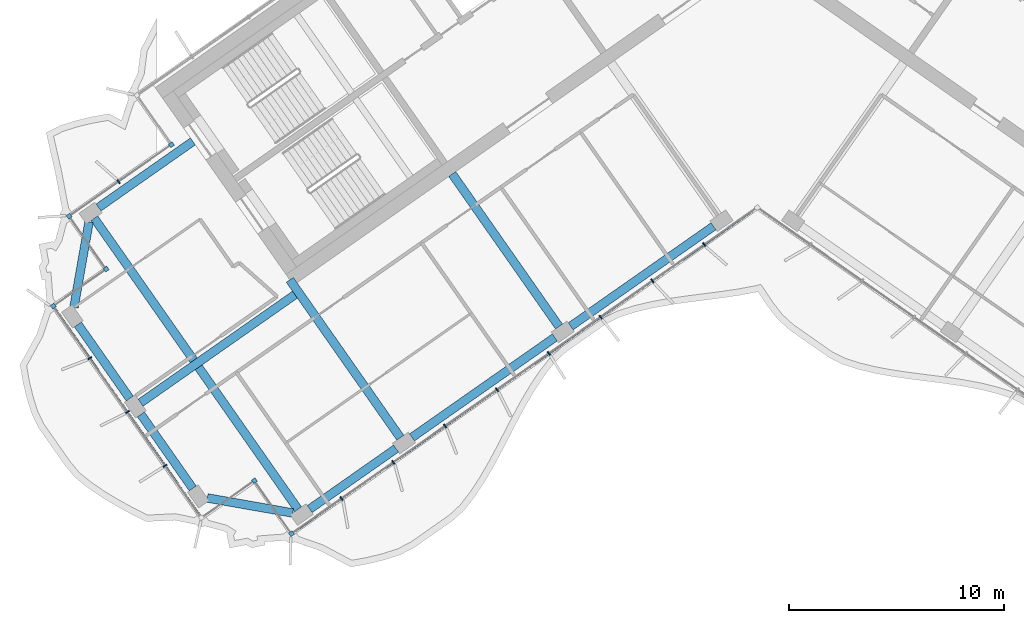
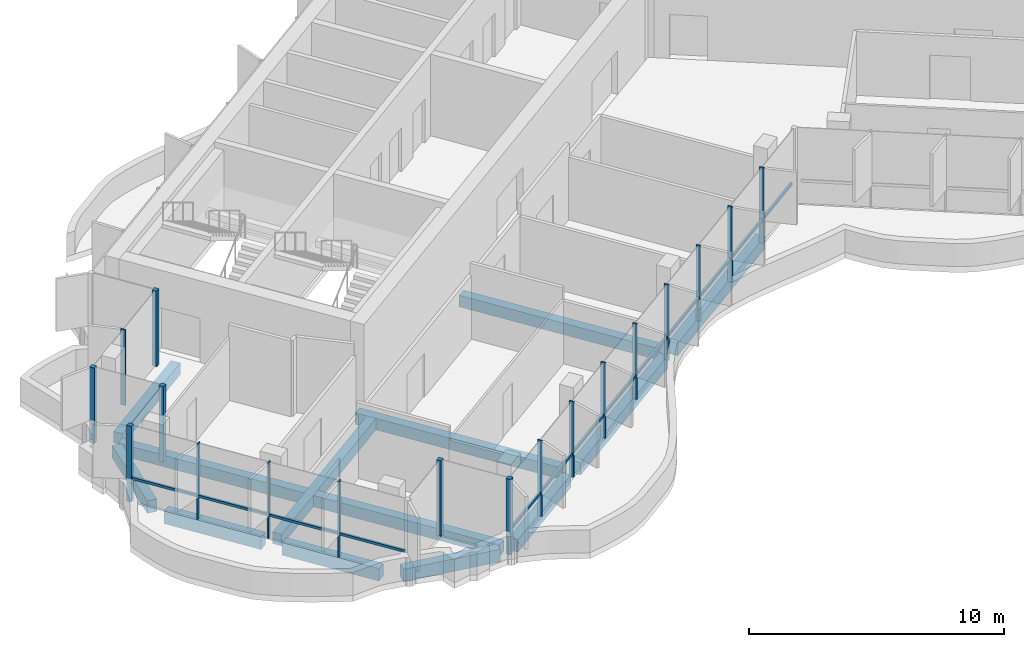
# One storey, part 2 of 20: 20 members, 12 beams, 2 elements without a shape of their own.
"""IFC4 building model written with IfcOpenShell, lengths in metres."""

from ifc_helpers import new_model, si_unit, direction, frame, origin, origin_2d, place, context, subcontext, project, spatial, rectangle, extrude, material, material_profile, profile_set, type_object, element, aggregate, save


model = new_model("IFC4")

# Units and contexts
model_context = context("Model", 3, precision=1e-05, world=origin(), true_north=direction((0.0, 1.0)))
body_context = subcontext(model_context, "Body", "Model", "MODEL_VIEW")
ifc_project = project(units=[si_unit("LENGTHUNIT", "METRE"), si_unit("AREAUNIT", "SQUARE_METRE"), si_unit("VOLUMEUNIT", "CUBIC_METRE"), si_unit("PLANEANGLEUNIT", "RADIAN"), si_unit("MASSUNIT", "GRAM", prefix="KILO")], contexts=[model_context])

# Site, building, storey
site_placement = place(None, origin())
site = spatial("IfcSite", under=ifc_project, at=site_placement, CompositionType="ELEMENT")
building_placement = place(site_placement, origin())
building = spatial("IfcBuilding", under=site, at=building_placement, Name="Tel Ilan Convention Tower", CompositionType="ELEMENT")
storey_placement = place(building_placement, frame((0.0, 0.0, 233.199951171875)))
storey = spatial("IfcBuildingStorey", under=building, at=storey_placement, Name="L54", CompositionType="ELEMENT", Elevation=233.199951171875)

# Beams
ifc_material_1 = material(Name="Concrete C40/50", Category="concrete")
ifc_material_profile_1 = material_profile(ifc_material_1, rectangle(XDim=0.39990234375, YDim=0.550048828125, at=origin_2d()), Name="RC 400x550")
ifc_profile_set_1 = profile_set([ifc_material_profile_1], Name="Concrete C40/50")
beam_type_1 = type_object("IfcBeamType", Name="Beam RC 400x550 Concrete C40/50", PredefinedType="BEAM", material=ifc_profile_set_1)
beam_1_placement = place(storey_placement, frame((-30.6005859375, -12.6982421875, -0.554931640625), z_axis=(0.819146154531, 0.573584847705, 0.0), x_axis=(-0.573584847705, 0.819146154531, 0.0)))
element("IfcBeam", 1, at=beam_1_placement, inside=storey, type_object=beam_type_1, Name="L54 beam W-W-BC-core", PredefinedType="BEAM", context=body_context, shape_type="SweptSolid", body=[
    extrude(rectangle(XDim=0.39990234375, YDim=0.550048828125, at=origin_2d()), origin(), (0.0, 0.0, 1.0), 5.349853515625),
])
beam_2_placement = place(storey_placement, frame((-9.209716796875, -18.229248046875, -0.554931640625), z_axis=(-0.573574099654, 0.819153680457, 0.0), x_axis=(-0.819153680457, -0.573574099654, 0.0)))
element("IfcBeam", 2, at=beam_2_placement, inside=storey, type_object=beam_type_1, Name="L54 beam W-W-F2-core", PredefinedType="BEAM", context=body_context, shape_type="SweptSolid", body=[
    extrude(rectangle(XDim=0.39990234375, YDim=0.550048828125, at=origin_2d()), origin(), (0.0, 0.0, 1.0), 8.64990234375),
])
beam_3_placement = place(storey_placement, frame((-16.58203125, -23.391357421875, -0.554931640625), z_axis=(-0.573584999642, 0.819146048141, 0.0), x_axis=(-0.819146048141, -0.573584999642, 0.0)))
element("IfcBeam", 3, at=beam_3_placement, inside=storey, type_object=beam_type_1, Name="L54 beam W-W-F3-core", PredefinedType="BEAM", context=body_context, shape_type="SweptSolid", body=[
    extrude(rectangle(XDim=0.39990234375, YDim=0.550048828125, at=origin_2d()), origin(), (0.0, 0.0, 1.0), 8.949951171875),
])
beam_4_placement = place(storey_placement, frame((-21.477783203125, -16.748046875, -0.554931640625), z_axis=(-0.819157197737, -0.573569076395, 0.0), x_axis=(0.573569076395, -0.819157197737, 0.0)))
element("IfcBeam", 4, at=beam_4_placement, inside=storey, type_object=beam_type_1, Name="L54 beam W-core-end", PredefinedType="BEAM", context=body_context, shape_type="SweptSolid", body=[
    extrude(rectangle(XDim=0.39990234375, YDim=0.550048828125, at=origin_2d()), origin(), (0.0, 0.0, 1.0), 8.75),
])
beam_5_placement = place(storey_placement, frame((-21.333251953125, -26.718017578125, -0.554931640625), z_axis=(-0.573574554643, 0.819153361872, 0.0), x_axis=(-0.819153361872, -0.573574554643, 0.0)))
element("IfcBeam", 5, at=beam_5_placement, inside=storey, type_object=beam_type_1, Name="L54 beam W-W-FC-W-BC", PredefinedType="BEAM", context=body_context, shape_type="SweptSolid", body=[
    extrude(rectangle(XDim=0.39990234375, YDim=0.550048828125, at=origin_2d()), origin(), (0.0, 0.0, 1.0), 16.499755859375),
])
ifc_material_2 = material(Name="Concrete C40/50", Category="concrete")
ifc_material_profile_2 = material_profile(ifc_material_2, rectangle(XDim=0.39990234375, YDim=0.60009765625, at=origin_2d()), Name="RC 400x600")
ifc_profile_set_2 = profile_set([ifc_material_profile_2], Name="Concrete C40/50")
beam_type_2 = type_object("IfcBeamType", Name="Beam RC 400x600 Concrete C40/50", PredefinedType="BEAM", material=ifc_profile_set_2)
beam_6_placement = place(storey_placement, frame((-2.033935546875, -13.57080078125, -0.579833984375), z_axis=(-0.81914553362, -0.573585734437, 0.0), x_axis=(0.573585734437, -0.81914553362, 0.0)))
element("IfcBeam", 6, at=beam_6_placement, inside=storey, type_object=beam_type_2, Name="L54 beam W-W-F1-W-F2", PredefinedType="BEAM", context=body_context, shape_type="SweptSolid", body=[
    extrude(rectangle(XDim=0.39990234375, YDim=0.60009765625, at=origin_2d()), origin(), (0.0, 0.0, 1.0), 8.099853515625),
])
beam_7_placement = place(storey_placement, frame((-9.40625, -18.73291015625, -0.579833984375), z_axis=(-0.819155449703, -0.573571572885, 0.0), x_axis=(0.573571572885, -0.819155449703, 0.0)))
element("IfcBeam", 7, at=beam_7_placement, inside=storey, type_object=beam_type_2, Name="L54 beam W-W-F2-W-F3", PredefinedType="BEAM", context=body_context, shape_type="SweptSolid", body=[
    extrude(rectangle(XDim=0.39990234375, YDim=0.60009765625, at=origin_2d()), origin(), (0.0, 0.0, 1.0), 8.10009765625),
])
beam_8_placement = place(storey_placement, frame((-16.778564453125, -23.895263671875, -0.579833984375), z_axis=(-0.819154669329, -0.573572687386, 0.0), x_axis=(0.573572687386, -0.819154669329, 0.0)))
element("IfcBeam", 8, at=beam_8_placement, inside=storey, type_object=beam_type_2, Name="L54 beam W-W-F3-W-FC", PredefinedType="BEAM", context=body_context, shape_type="SweptSolid", body=[
    extrude(rectangle(XDim=0.39990234375, YDim=0.60009765625, at=origin_2d()), origin(), (0.0, 0.0, 1.0), 4.900146484375),
])
beam_9_placement = place(storey_placement, frame((-21.578857421875, -26.89013671875, -0.579833984375), z_axis=(-0.984804894423, 0.173664388751, 0.0), x_axis=(-0.173664388751, -0.984804894423, 0.0)))
element("IfcBeam", 9, at=beam_9_placement, inside=storey, type_object=beam_type_2, Name="L54 beam W-W-FC-W-E1", PredefinedType="BEAM", context=body_context, shape_type="SweptSolid", body=[
    extrude(rectangle(XDim=0.39990234375, YDim=0.60009765625, at=origin_2d()), origin(), (0.0, 0.0, 1.0), 4.030517578125),
])
for number, where, z_axis, x_axis, name in (
    (10, (-26.22412109375, -25.748046875, -0.579833984375), (-0.573563773994, 0.819160910421, 0.0), (-0.819160910421, -0.573563773994, 0.0), "L54 beam W-W-E1-W-E2"),
    (11, (-29.1494140625, -21.5703125, -0.579833984375), (-0.573563773994, 0.819160910421, 0.0), (-0.819160910421, -0.573563773994, 0.0), "L54 beam W-W-E2-W-E3"),
):
    element("IfcBeam", number, at=place(storey_placement, frame(where, z_axis=z_axis, x_axis=x_axis)), inside=storey, type_object=beam_type_2, Name=name, PredefinedType="BEAM", context=body_context, shape_type="SweptSolid", body=[
        extrude(rectangle(XDim=0.39990234375, YDim=0.60009765625, at=origin_2d()), origin(), (0.0, 0.0, 1.0), 4.199951171875),
    ])
beam_10_placement = place(storey_placement, frame((-31.742919921875, -17.343505859375, -0.579833984375), z_axis=(0.173664388751, 0.984804894423, 0.0), x_axis=(-0.984804894423, 0.173664388751, 0.0)))
element("IfcBeam", 12, at=beam_10_placement, inside=storey, type_object=beam_type_2, Name="L54 beam W-W-E3-W-BC", PredefinedType="BEAM", context=body_context, shape_type="SweptSolid", body=[
    extrude(rectangle(XDim=0.39990234375, YDim=0.60009765625, at=origin_2d()), origin(), (0.0, 0.0, 1.0), 4.030517578125),
])

# Curtain wall, member
ifc_material_3 = material(Name="Aluminium, bronze anodised", Category="aluminium")
curtain_wall_type_1 = type_object("IfcCurtainWallType", Name="CW2 STICK CURTAIN WALL, SPANDREL PANELS", PredefinedType="NOTDEFINED", material=ifc_material_3)
curtain_wall_1_placement = place(storey_placement, origin())
curtain_wall_1 = element("IfcCurtainWall", 13, at=curtain_wall_1_placement, inside=storey, type_object=curtain_wall_type_1, Name="Curtain wall CW2-42.01", PredefinedType="NOTDEFINED")
ifc_material_4 = material(Name="Aluminium, bronze anodised", Category="aluminium")
ifc_material_profile_3 = material_profile(ifc_material_4, rectangle(XDim=0.199951171875, YDim=0.199951171875, at=origin_2d()), Name="CW CORNER MULLION 200x200")
ifc_profile_set_3 = profile_set([ifc_material_profile_3], Name="Aluminium, bronze anodised")
member_type_1 = type_object("IfcMemberType", Name="CW CORNER MULLION 200x200", PredefinedType="MULLION", material=ifc_profile_set_3)
member_1_placement = place(storey_placement, frame((-27.213623046875, -9.77734375, 0.0), z_axis=(0.0, 0.0, 1.0), x_axis=(0.573576436351, -0.819152044289, 0.0)))
member_1 = element("IfcMember", 14, at=member_1_placement, type_object=member_type_1, Name="Corner mullion", PredefinedType="MULLION", context=body_context, shape_type="SweptSolid", body=[
    extrude(rectangle(XDim=0.199951171875, YDim=0.199951171875, at=origin_2d()), origin(), (0.0, 0.0, 1.0), 3.6201171875),
])
aggregate(curtain_wall_1, [member_1])

# Curtain wall, members
ifc_material_5 = material(Name="Aluminium, bronze anodised", Category="aluminium")
curtain_wall_type_2 = type_object("IfcCurtainWallType", Name="CW5 STICK CURTAIN WALL, UPPER OFFICE LOW-IRON TINTED GLASS", PredefinedType="NOTDEFINED", material=ifc_material_5)
curtain_wall_2_placement = place(storey_placement, origin())
curtain_wall_2 = element("IfcCurtainWall", 15, at=curtain_wall_2_placement, inside=storey, type_object=curtain_wall_type_2, Name="Curtain wall CW5-42.02", PredefinedType="NOTDEFINED")
member_2_placement = place(storey_placement, frame((-31.964599609375, -13.10400390625, 0.0), z_axis=(0.0, 0.0, 1.0), x_axis=(-0.819152044289, -0.573576436351, 0.0)))
member_2 = element("IfcMember", 16, at=member_2_placement, type_object=member_type_1, Name="Corner mullion", PredefinedType="MULLION", context=body_context, shape_type="SweptSolid", body=[
    extrude(rectangle(XDim=0.199951171875, YDim=0.199951171875, at=origin_2d()), origin(), (0.0, 0.0, 1.0), 3.6201171875),
])
member_3_placement = place(storey_placement, frame((-30.243896484375, -15.5615234375, 0.0), z_axis=(0.0, 0.0, 1.0), x_axis=(0.573576436351, -0.819152044289, 0.0)))
member_3 = element("IfcMember", 17, at=member_3_placement, type_object=member_type_1, Name="Corner mullion", PredefinedType="MULLION", context=body_context, shape_type="SweptSolid", body=[
    extrude(rectangle(XDim=0.199951171875, YDim=0.199951171875, at=origin_2d()), origin(), (0.0, 0.0, 1.0), 3.6201171875),
])
member_4_placement = place(storey_placement, frame((-32.701416015625, -17.2822265625, 0.0), z_axis=(0.0, 0.0, 1.0), x_axis=(-0.819152044289, -0.573576436351, 0.0)))
member_4 = element("IfcMember", 18, at=member_4_placement, type_object=member_type_1, Name="Corner mullion", PredefinedType="MULLION", context=body_context, shape_type="SweptSolid", body=[
    extrude(rectangle(XDim=0.199951171875, YDim=0.199951171875, at=origin_2d()), origin(), (0.0, 0.0, 1.0), 3.6201171875),
])
member_5_placement = place(storey_placement, frame((-23.36083984375, -25.391357421875, 0.0), z_axis=(0.0, 0.0, 1.0), x_axis=(0.819152044289, 0.573576436351, 0.0)))
member_5 = element("IfcMember", 19, at=member_5_placement, type_object=member_type_1, Name="Corner mullion", PredefinedType="MULLION", context=body_context, shape_type="SweptSolid", body=[
    extrude(rectangle(XDim=0.199951171875, YDim=0.199951171875, at=origin_2d()), origin(), (0.0, 0.0, 1.0), 3.6201171875),
])
member_6_placement = place(storey_placement, frame((-21.64013671875, -27.8486328125, 0.0), z_axis=(0.0, 0.0, 1.0), x_axis=(0.573576436351, -0.819152044289, 0.0)))
member_6 = element("IfcMember", 20, at=member_6_placement, type_object=member_type_1, Name="Corner mullion", PredefinedType="MULLION", context=body_context, shape_type="SweptSolid", body=[
    extrude(rectangle(XDim=0.199951171875, YDim=0.199951171875, at=origin_2d()), origin(), (0.0, 0.0, 1.0), 3.6201171875),
])
ifc_material_6 = material(Name="Aluminium, bronze anodised", Category="aluminium")
ifc_material_profile_4 = material_profile(ifc_material_6, rectangle(XDim=0.06005859375, YDim=0.199951171875, at=origin_2d()), Name="CW MULLION 60x200")
ifc_profile_set_4 = profile_set([ifc_material_profile_4], Name="Aluminium, bronze anodised")
member_type_2 = type_object("IfcMemberType", Name="CW MULLION 60x200", PredefinedType="MULLION", material=ifc_profile_set_4)
member_7_placement = place(storey_placement, frame((-29.6708984375, -11.498046875, 0.0), z_axis=(0.0, 0.0, 1.0), x_axis=(-0.819152044289, -0.573576436351, 0.0)))
member_7 = element("IfcMember", 21, at=member_7_placement, type_object=member_type_2, Name="Mullion", PredefinedType="MULLION", context=body_context, shape_type="SweptSolid", body=[
    extrude(rectangle(XDim=0.06005859375, YDim=0.199951171875, at=origin_2d()), origin(), (0.0, 0.0, 1.0), 3.6201171875),
])
member_8_placement = place(storey_placement, frame((-31.00927734375, -19.69873046875, 0.0), z_axis=(0.0, 0.0, 1.0), x_axis=(0.573576436351, -0.819152044289, 0.0)))
member_8 = element("IfcMember", 22, at=member_8_placement, type_object=member_type_2, Name="Mullion", PredefinedType="MULLION", context=body_context, shape_type="SweptSolid", body=[
    extrude(rectangle(XDim=0.06005859375, YDim=0.199951171875, at=origin_2d()), origin(), (0.0, 0.0, 1.0), 3.6201171875),
])
member_9_placement = place(storey_placement, frame((-29.259765625, -22.197021484375, 0.0), z_axis=(0.0, 0.0, 1.0), x_axis=(0.573576436351, -0.819152044289, 0.0)))
member_9 = element("IfcMember", 23, at=member_9_placement, type_object=member_type_2, Name="Mullion", PredefinedType="MULLION", context=body_context, shape_type="SweptSolid", body=[
    extrude(rectangle(XDim=0.06005859375, YDim=0.199951171875, at=origin_2d()), origin(), (0.0, 0.0, 1.0), 3.6201171875),
])
member_10_placement = place(storey_placement, frame((-27.510498046875, -24.695556640625, 0.0), z_axis=(0.0, 0.0, 1.0), x_axis=(0.573576436351, -0.819152044289, 0.0)))
member_10 = element("IfcMember", 24, at=member_10_placement, type_object=member_type_2, Name="Mullion", PredefinedType="MULLION", context=body_context, shape_type="SweptSolid", body=[
    extrude(rectangle(XDim=0.06005859375, YDim=0.199951171875, at=origin_2d()), origin(), (0.0, 0.0, 1.0), 3.6201171875),
])
member_11_placement = place(storey_placement, frame((-19.31494140625, -26.220458984375, 0.0), z_axis=(0.0, 0.0, 1.0), x_axis=(0.819152044289, 0.573576436351, 0.0)))
member_11 = element("IfcMember", 25, at=member_11_placement, type_object=member_type_2, Name="Mullion", PredefinedType="MULLION", context=body_context, shape_type="SweptSolid", body=[
    extrude(rectangle(XDim=0.06005859375, YDim=0.199951171875, at=origin_2d()), origin(), (0.0, 0.0, 1.0), 3.6201171875),
])
member_12_placement = place(storey_placement, frame((-16.90771484375, -24.534912109375, 0.0), z_axis=(0.0, 0.0, 1.0), x_axis=(0.819152044289, 0.573576436351, 0.0)))
member_12 = element("IfcMember", 26, at=member_12_placement, type_object=member_type_2, Name="Mullion", PredefinedType="MULLION", context=body_context, shape_type="SweptSolid", body=[
    extrude(rectangle(XDim=0.06005859375, YDim=0.199951171875, at=origin_2d()), origin(), (0.0, 0.0, 1.0), 3.6201171875),
])
member_13_placement = place(storey_placement, frame((-14.50048828125, -22.849365234375, 0.0), z_axis=(0.0, 0.0, 1.0), x_axis=(0.819152044289, 0.573576436351, 0.0)))
member_13 = element("IfcMember", 27, at=member_13_placement, type_object=member_type_2, Name="Mullion", PredefinedType="MULLION", context=body_context, shape_type="SweptSolid", body=[
    extrude(rectangle(XDim=0.06005859375, YDim=0.199951171875, at=origin_2d()), origin(), (0.0, 0.0, 1.0), 3.6201171875),
])
member_14_placement = place(storey_placement, frame((-12.09326171875, -21.163818359375, 0.0), z_axis=(0.0, 0.0, 1.0), x_axis=(0.819152044289, 0.573576436351, 0.0)))
member_14 = element("IfcMember", 28, at=member_14_placement, type_object=member_type_2, Name="Mullion", PredefinedType="MULLION", context=body_context, shape_type="SweptSolid", body=[
    extrude(rectangle(XDim=0.06005859375, YDim=0.199951171875, at=origin_2d()), origin(), (0.0, 0.0, 1.0), 3.6201171875),
])
member_15_placement = place(storey_placement, frame((-9.68603515625, -19.478271484375, 0.0), z_axis=(0.0, 0.0, 1.0), x_axis=(0.819152044289, 0.573576436351, 0.0)))
member_15 = element("IfcMember", 29, at=member_15_placement, type_object=member_type_2, Name="Mullion", PredefinedType="MULLION", context=body_context, shape_type="SweptSolid", body=[
    extrude(rectangle(XDim=0.06005859375, YDim=0.199951171875, at=origin_2d()), origin(), (0.0, 0.0, 1.0), 3.6201171875),
])
member_16_placement = place(storey_placement, frame((-7.279052734375, -17.792724609375, 0.0), z_axis=(0.0, 0.0, 1.0), x_axis=(0.819152044289, 0.573576436351, 0.0)))
member_16 = element("IfcMember", 30, at=member_16_placement, type_object=member_type_2, Name="Mullion", PredefinedType="MULLION", context=body_context, shape_type="SweptSolid", body=[
    extrude(rectangle(XDim=0.06005859375, YDim=0.199951171875, at=origin_2d()), origin(), (0.0, 0.0, 1.0), 3.6201171875),
])
member_17_placement = place(storey_placement, frame((-4.871826171875, -16.107177734375, 0.0), z_axis=(0.0, 0.0, 1.0), x_axis=(0.819152044289, 0.573576436351, 0.0)))
member_17 = element("IfcMember", 31, at=member_17_placement, type_object=member_type_2, Name="Mullion", PredefinedType="MULLION", context=body_context, shape_type="SweptSolid", body=[
    extrude(rectangle(XDim=0.06005859375, YDim=0.199951171875, at=origin_2d()), origin(), (0.0, 0.0, 1.0), 3.6201171875),
])
member_18_placement = place(storey_placement, frame((-2.464599609375, -14.421875, 0.0), z_axis=(0.0, 0.0, 1.0), x_axis=(0.819152044289, 0.573576436351, 0.0)))
member_18 = element("IfcMember", 32, at=member_18_placement, type_object=member_type_2, Name="Mullion", PredefinedType="MULLION", context=body_context, shape_type="SweptSolid", body=[
    extrude(rectangle(XDim=0.06005859375, YDim=0.199951171875, at=origin_2d()), origin(), (0.0, 0.0, 1.0), 3.6201171875),
])
ifc_material_7 = material(Name="Aluminium, bronze anodised", Category="aluminium")
ifc_material_profile_5 = material_profile(ifc_material_7, rectangle(XDim=0.10009765625, YDim=0.1201171875, at=origin_2d()), Name="CW TRANSOM 100x120")
ifc_profile_set_5 = profile_set([ifc_material_profile_5], Name="Aluminium, bronze anodised")
member_type_3 = type_object("IfcMemberType", Name="CW TRANSOM 100x120", PredefinedType="USERDEFINED", material=ifc_profile_set_5)
member_19_placement = place(storey_placement, frame((-32.64404296875, -17.364013671875, 1.10009765625), z_axis=(0.573581755582, -0.819148319698, 0.0), x_axis=(0.819148319698, 0.573581755582, 0.0)))
member_19 = element("IfcMember", 33, at=member_19_placement, type_object=member_type_3, Name="Transom", ObjectType="TRANSOM", PredefinedType="USERDEFINED", context=body_context, shape_type="SweptSolid", body=[
    extrude(rectangle(XDim=0.10009765625, YDim=0.1201171875, at=origin_2d()), origin(), (0.0, 0.0, 1.0), 11.800048828125),
])
member_20_placement = place(storey_placement, frame((-21.558349609375, -27.791259765625, 1.10009765625), z_axis=(0.819152212587, 0.573576195996, 0.0), x_axis=(-0.573576195996, 0.819152212587, 0.0)))
member_20 = element("IfcMember", 34, at=member_20_placement, type_object=member_type_3, Name="Transom", ObjectType="TRANSOM", PredefinedType="USERDEFINED", context=body_context, shape_type="SweptSolid", body=[
    extrude(rectangle(XDim=0.10009765625, YDim=0.1201171875, at=origin_2d()), origin(), (0.0, 0.0, 1.0), 26.0478515625),
])
aggregate(curtain_wall_2, [member_7, member_2, member_3, member_4, member_8, member_9, member_10, member_19, member_5, member_6, member_11, member_12, member_13, member_14, member_15, member_16, member_17, member_18, member_20])

save(model, "model.ifc")
